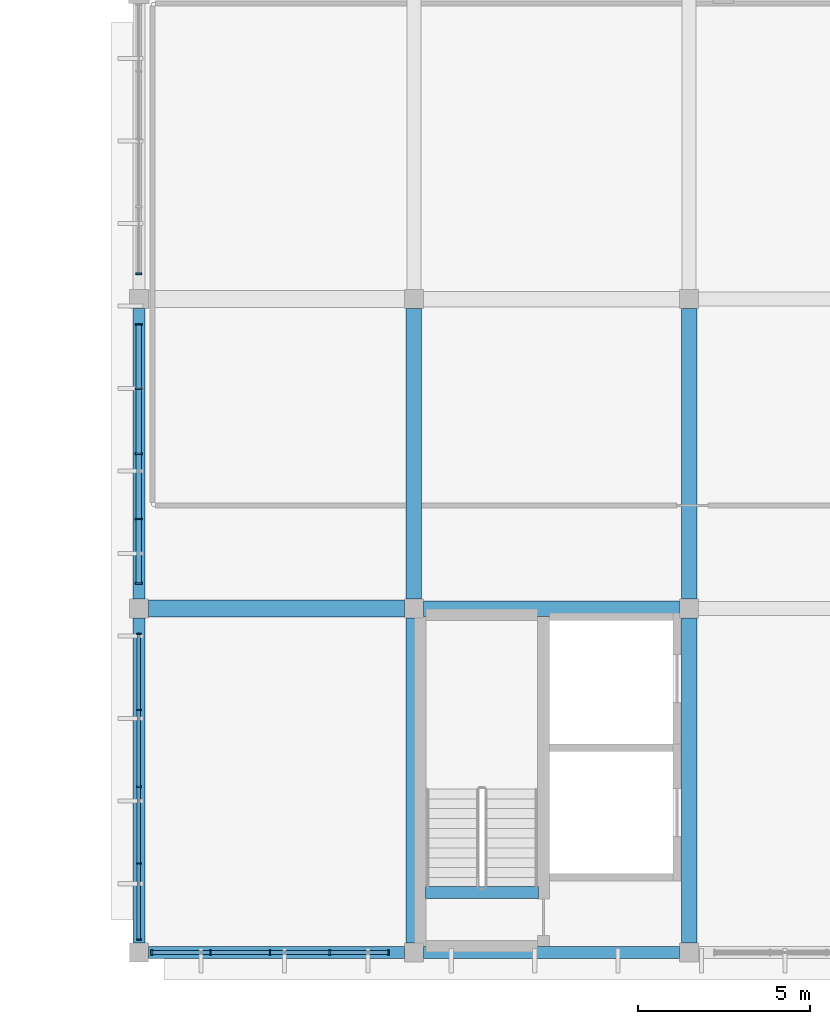
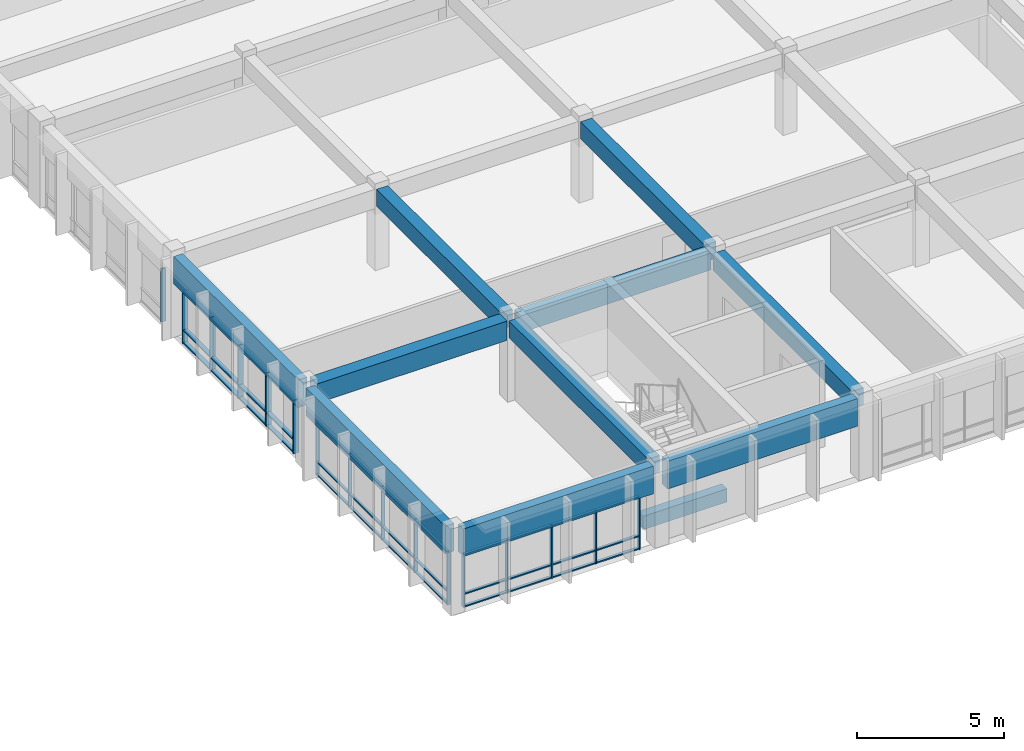
# One storey, part 12 of 77: 52 members, 11 beams, 4 elements without a shape of their own.
"""IFC4 building model written with IfcOpenShell, lengths in metres."""

from ifc_helpers import new_model, si_unit, direction, frame, origin, origin_2d, place, context, subcontext, project, spatial, rectangle, extrude, material, material_profile, profile_set, type_object, element, aggregate, save


model = new_model("IFC4")

# Units and contexts
model_context = context("Model", 3, precision=1e-05, world=origin(), true_north=direction((0.0, 1.0)))
body_context = subcontext(model_context, "Body", "Model", "MODEL_VIEW")
ifc_project = project(units=[si_unit("LENGTHUNIT", "METRE"), si_unit("AREAUNIT", "SQUARE_METRE"), si_unit("VOLUMEUNIT", "CUBIC_METRE"), si_unit("PLANEANGLEUNIT", "RADIAN"), si_unit("MASSUNIT", "GRAM", prefix="KILO")], contexts=[model_context])

# Site, building, storey
site_placement = place(None, origin())
site = spatial("IfcSite", under=ifc_project, at=site_placement, CompositionType="ELEMENT")
building_placement = place(site_placement, origin())
building = spatial("IfcBuilding", under=site, at=building_placement, Name="Larkveld Mobility Hub", CompositionType="ELEMENT")
storey_placement = place(building_placement, frame((0.0, 0.0, 12.0)))
storey = spatial("IfcBuildingStorey", under=building, at=storey_placement, Name="L03", CompositionType="ELEMENT", Elevation=12.0)

# Beams
ifc_material_1 = material(Name="Concrete C40/50", Category="concrete")
ifc_material_profile_1 = material_profile(ifc_material_1, rectangle(XDim=0.35009765625, YDim=0.550048828125, at=origin_2d()), Name="RC BM 350x550")
ifc_profile_set_1 = profile_set([ifc_material_profile_1], Name="Concrete C40/50")
beam_type_1 = type_object("IfcBeamType", Name="BM-RC3555", PredefinedType="BEAM", material=ifc_profile_set_1)
beam_1_placement = place(storey_placement, frame((120.330078125, 1.739990234375, -0.27001953125), z_axis=(1.0, 0.0, 0.0), x_axis=(0.0, 1.0, 0.0)))
element("IfcBeam", 1, at=beam_1_placement, inside=storey, type_object=beam_type_1, Name="Core C4 Stair Header Beam L03", PredefinedType="BEAM", context=body_context, shape_type="SweptSolid", body=[
    extrude(rectangle(XDim=0.35009765625, YDim=0.550048828125, at=origin_2d()), origin(), (0.0, 0.0, 1.0), 3.2900390625),
])
ifc_material_profile_2 = material_profile(ifc_material_1, rectangle(XDim=0.449951171875, YDim=0.699951171875, at=origin_2d()), Name="RC BM 450x700")
ifc_profile_set_2 = profile_set([ifc_material_profile_2], Name="Concrete C40/50")
beam_type_2 = type_object("IfcBeamType", Name="BM-RC4570", PredefinedType="BEAM", material=ifc_profile_set_2)
beam_2_placement = place(storey_placement, frame((120.27490234375, 10.0, 3.010009765625), z_axis=(1.0, 0.0, 0.0), x_axis=(0.0, 1.0, 0.0)))
element("IfcBeam", 2, at=beam_2_placement, inside=storey, type_object=beam_type_2, Name="Primary E-W Girder L03-0700", PredefinedType="BEAM", context=body_context, shape_type="SweptSolid", body=[
    extrude(rectangle(XDim=0.449951171875, YDim=0.699951171875, at=origin_2d()), origin(), (0.0, 0.0, 1.0), 7.4501953125),
])
beam_3_placement = place(storey_placement, frame((120.0, 0.27490234375, 3.010009765625), z_axis=(0.0, 1.0, 0.0), x_axis=(-1.0, 0.0, 0.0)))
element("IfcBeam", 3, at=beam_3_placement, inside=storey, type_object=beam_type_2, Name="Primary N-S Girder L03-0808", PredefinedType="BEAM", context=body_context, shape_type="SweptSolid", body=[
    extrude(rectangle(XDim=0.449951171875, YDim=0.699951171875, at=origin_2d()), origin(), (0.0, 0.0, 1.0), 9.4501953125),
])
beam_4_placement = place(storey_placement, frame((120.0, 10.27490234375, 3.010009765625), z_axis=(0.0, 1.0, 0.0), x_axis=(-1.0, 0.0, 0.0)))
element("IfcBeam", 4, at=beam_4_placement, inside=storey, type_object=beam_type_2, Name="Primary N-S Girder L03-0809", PredefinedType="BEAM", context=body_context, shape_type="SweptSolid", body=[
    extrude(rectangle(XDim=0.449951171875, YDim=0.699951171875, at=origin_2d()), origin(), (0.0, 0.0, 1.0), 8.4501953125),
])
beam_5_placement = place(storey_placement, frame((128.0, 0.27490234375, 3.010009765625), z_axis=(0.0, 1.0, 0.0), x_axis=(-1.0, 0.0, 0.0)))
element("IfcBeam", 5, at=beam_5_placement, inside=storey, type_object=beam_type_2, Name="Primary N-S Girder L03-0811", PredefinedType="BEAM", context=body_context, shape_type="SweptSolid", body=[
    extrude(rectangle(XDim=0.449951171875, YDim=0.699951171875, at=origin_2d()), origin(), (0.0, 0.0, 1.0), 9.4501953125),
])
beam_6_placement = place(storey_placement, frame((128.0, 10.27490234375, 3.010009765625), z_axis=(0.0, 1.0, 0.0), x_axis=(-1.0, 0.0, 0.0)))
element("IfcBeam", 6, at=beam_6_placement, inside=storey, type_object=beam_type_2, Name="Primary N-S Girder L03-0812", PredefinedType="BEAM", context=body_context, shape_type="SweptSolid", body=[
    extrude(rectangle(XDim=0.449951171875, YDim=0.699951171875, at=origin_2d()), origin(), (0.0, 0.0, 1.0), 8.4501953125),
])
ifc_material_profile_3 = material_profile(ifc_material_1, rectangle(XDim=0.5, YDim=0.800048828125, at=origin_2d()), Name="RC BM 500x800")
ifc_profile_set_3 = profile_set([ifc_material_profile_3], Name="Concrete C40/50")
beam_type_3 = type_object("IfcBeamType", Name="BM-RC5080", PredefinedType="BEAM", material=ifc_profile_set_3)
beam_7_placement = place(storey_placement, frame((112.27490234375, 10.0, 2.9599609375), z_axis=(1.0, 0.0, 0.0), x_axis=(0.0, 1.0, 0.0)))
element("IfcBeam", 7, at=beam_7_placement, inside=storey, type_object=beam_type_3, Name="Primary E-W Girder L03-0699", PredefinedType="BEAM", context=body_context, shape_type="SweptSolid", body=[
    extrude(rectangle(XDim=0.5, YDim=0.800048828125, at=origin_2d()), origin(), (0.0, 0.0, 1.0), 7.4501953125),
])
ifc_material_2 = material(Name="Precast concrete C50/60", Category="concrete")
ifc_material_profile_4 = material_profile(ifc_material_2, rectangle(XDim=0.35009765625, YDim=1.14990234375, at=origin_2d()), Name="PC SP 350x1150")
ifc_profile_set_4 = profile_set([ifc_material_profile_4], Name="Precast concrete C50/60")
beam_type_4 = type_object("IfcBeamType", Name="BM-SP35115", PredefinedType="SPANDREL", material=ifc_profile_set_4)
for number, where, z_axis, x_axis, name in (
    (8, (112.27490234375, 0.0, 2.784912109375), (1.0, 0.0, 0.0), (0.0, 1.0, 0.0), "Primary E-W Girder L03-0692"),
    (9, (120.27490234375, 0.0, 2.784912109375), (1.0, 0.0, 0.0), (0.0, 1.0, 0.0), "Primary E-W Girder L03-0693"),
):
    element("IfcBeam", number, at=place(storey_placement, frame(where, z_axis=z_axis, x_axis=x_axis)), inside=storey, type_object=beam_type_4, Name=name, PredefinedType="SPANDREL", context=body_context, shape_type="SweptSolid", body=[
        extrude(rectangle(XDim=0.35009765625, YDim=1.14990234375, at=origin_2d()), origin(), (0.0, 0.0, 1.0), 7.4501953125),
    ])
beam_8_placement = place(storey_placement, frame((112.0, 0.27490234375, 2.784912109375), z_axis=(0.0, 1.0, 0.0), x_axis=(-1.0, 0.0, 0.0)))
element("IfcBeam", 10, at=beam_8_placement, inside=storey, type_object=beam_type_4, Name="Primary N-S Girder L03-0795", PredefinedType="SPANDREL", context=body_context, shape_type="SweptSolid", body=[
    extrude(rectangle(XDim=0.35009765625, YDim=1.14990234375, at=origin_2d()), origin(), (0.0, 0.0, 1.0), 9.4501953125),
])
beam_9_placement = place(storey_placement, frame((112.0, 10.27490234375, 2.784912109375), z_axis=(0.0, 1.0, 0.0), x_axis=(-1.0, 0.0, 0.0)))
element("IfcBeam", 11, at=beam_9_placement, inside=storey, type_object=beam_type_4, Name="Primary N-S Girder L03-0796", PredefinedType="SPANDREL", context=body_context, shape_type="SweptSolid", body=[
    extrude(rectangle(XDim=0.35009765625, YDim=1.14990234375, at=origin_2d()), origin(), (0.0, 0.0, 1.0), 8.4501953125),
])

# Curtain wall, members
ifc_material_3 = material(Name="Anodised aluminium 6063-T6", Category="aluminium")
curtain_wall_type_1 = type_object("IfcCurtainWallType", Name="CW-SYS-05", PredefinedType="NOTDEFINED", material=ifc_material_3)
curtain_wall_1_placement = place(storey_placement, origin())
curtain_wall_1 = element("IfcCurtainWall", 12, at=curtain_wall_1_placement, inside=storey, type_object=curtain_wall_type_1, Name="Service Centre South Curtain Wall L03 CW-113", PredefinedType="NOTDEFINED")
ifc_material_profile_5 = material_profile(ifc_material_3, rectangle(XDim=0.050048828125, YDim=0.14990234375, at=origin_2d()), Name="ALU MULL 50x150")
ifc_profile_set_5 = profile_set([ifc_material_profile_5], Name="Anodised aluminium 6063-T6")
member_type_1 = type_object("IfcMemberType", Name="CW-MUL-01", PredefinedType="MULLION", material=ifc_profile_set_5)
member_1_placement = place(storey_placement, frame((112.375, 0.0, -0.001953125), z_axis=(0.0, 0.0, 1.0), x_axis=(1.0, 0.0, 0.0)))
member_1 = element("IfcMember", 13, at=member_1_placement, type_object=member_type_1, Name="CW05 mullion 1", PredefinedType="MULLION", context=body_context, shape_type="SweptSolid", body=[
    extrude(rectangle(XDim=0.050048828125, YDim=0.14990234375, at=origin_2d()), origin(), (0.0, 0.0, 1.0), 2.2119140625),
])
member_2_placement = place(storey_placement, frame((114.083984375, 0.0, -0.001953125), z_axis=(0.0, 0.0, 1.0), x_axis=(1.0, 0.0, 0.0)))
member_2 = element("IfcMember", 14, at=member_2_placement, type_object=member_type_1, Name="CW05 mullion 2", PredefinedType="MULLION", context=body_context, shape_type="SweptSolid", body=[
    extrude(rectangle(XDim=0.050048828125, YDim=0.14990234375, at=origin_2d()), origin(), (0.0, 0.0, 1.0), 2.2119140625),
])
member_3_placement = place(storey_placement, frame((115.81689453125, 0.0, -0.001953125), z_axis=(0.0, 0.0, 1.0), x_axis=(1.0, 0.0, 0.0)))
member_3 = element("IfcMember", 15, at=member_3_placement, type_object=member_type_1, Name="CW05 mullion 3", PredefinedType="MULLION", context=body_context, shape_type="SweptSolid", body=[
    extrude(rectangle(XDim=0.050048828125, YDim=0.14990234375, at=origin_2d()), origin(), (0.0, 0.0, 1.0), 2.2119140625),
])
member_4_placement = place(storey_placement, frame((117.551025390625, 0.0, -0.001953125), z_axis=(0.0, 0.0, 1.0), x_axis=(1.0, 0.0, 0.0)))
member_4 = element("IfcMember", 16, at=member_4_placement, type_object=member_type_1, Name="CW05 mullion 4", PredefinedType="MULLION", context=body_context, shape_type="SweptSolid", body=[
    extrude(rectangle(XDim=0.050048828125, YDim=0.14990234375, at=origin_2d()), origin(), (0.0, 0.0, 1.0), 2.2119140625),
])
member_5_placement = place(storey_placement, frame((119.260009765625, 0.0, -0.001953125), z_axis=(0.0, 0.0, 1.0), x_axis=(1.0, 0.0, 0.0)))
member_5 = element("IfcMember", 17, at=member_5_placement, type_object=member_type_1, Name="CW05 mullion 5", PredefinedType="MULLION", context=body_context, shape_type="SweptSolid", body=[
    extrude(rectangle(XDim=0.050048828125, YDim=0.14990234375, at=origin_2d()), origin(), (0.0, 0.0, 1.0), 2.2119140625),
])

# Curtain wall, member
curtain_wall_type_2 = type_object("IfcCurtainWallType", Name="CW-SYS-02", PredefinedType="NOTDEFINED", material=ifc_material_3)
curtain_wall_2_placement = place(storey_placement, origin())
curtain_wall_2 = element("IfcCurtainWall", 18, at=curtain_wall_2_placement, inside=storey, type_object=curtain_wall_type_2, Name="Public Passage East Service Facade L03 CW-122", PredefinedType="NOTDEFINED")
ifc_material_profile_6 = material_profile(ifc_material_3, rectangle(XDim=0.050048828125, YDim=0.179931640625, at=origin_2d()), Name="ALU MULL 50x180")
ifc_profile_set_6 = profile_set([ifc_material_profile_6], Name="Anodised aluminium 6063-T6")
member_type_2 = type_object("IfcMemberType", Name="CW-MUL-02", PredefinedType="MULLION", material=ifc_profile_set_6)
member_6_placement = place(storey_placement, frame((112.0, 19.739990234375, -0.001953125), z_axis=(0.0, 0.0, 1.0), x_axis=(0.0, -1.0, 0.0)))
member_6 = element("IfcMember", 19, at=member_6_placement, type_object=member_type_2, Name="CW02 mullion 5", PredefinedType="MULLION", context=body_context, shape_type="SweptSolid", body=[
    extrude(rectangle(XDim=0.050048828125, YDim=0.179931640625, at=origin_2d()), origin(), (0.0, 0.0, 1.0), 2.2119140625),
])
aggregate(curtain_wall_2, [member_6])

# Curtain wall, members
curtain_wall_type_3 = type_object("IfcCurtainWallType", Name="CW-SYS-03", PredefinedType="NOTDEFINED", material=ifc_material_3)
curtain_wall_3_placement = place(storey_placement, origin())
curtain_wall_3 = element("IfcCurtainWall", 20, at=curtain_wall_3_placement, inside=storey, type_object=curtain_wall_type_3, Name="Public Passage East Service Facade L03 CW-123", PredefinedType="NOTDEFINED")
ifc_material_profile_7 = material_profile(ifc_material_3, rectangle(XDim=0.050048828125, YDim=0.2099609375, at=origin_2d()), Name="ALU MULL 50x210")
ifc_profile_set_7 = profile_set([ifc_material_profile_7], Name="Anodised aluminium 6063-T6")
member_type_3 = type_object("IfcMemberType", Name="CW-MUL-03", PredefinedType="MULLION", material=ifc_profile_set_7)
member_7_placement = place(storey_placement, frame((112.0, 18.260009765625, -0.001953125), z_axis=(0.0, 0.0, 1.0), x_axis=(0.0, -1.0, 0.0)))
member_7 = element("IfcMember", 21, at=member_7_placement, type_object=member_type_3, Name="CW03 mullion 1", PredefinedType="MULLION", context=body_context, shape_type="SweptSolid", body=[
    extrude(rectangle(XDim=0.050048828125, YDim=0.2099609375, at=origin_2d()), origin(), (0.0, 0.0, 1.0), 2.2119140625),
])
member_8_placement = place(storey_placement, frame((112.0, 16.39208984375, -0.001953125), z_axis=(0.0, 0.0, 1.0), x_axis=(0.0, -1.0, 0.0)))
member_8 = element("IfcMember", 22, at=member_8_placement, type_object=member_type_3, Name="CW03 mullion 2", PredefinedType="MULLION", context=body_context, shape_type="SweptSolid", body=[
    extrude(rectangle(XDim=0.050048828125, YDim=0.2099609375, at=origin_2d()), origin(), (0.0, 0.0, 1.0), 2.2119140625),
])
member_9_placement = place(storey_placement, frame((112.0, 14.5, -0.001953125), z_axis=(0.0, 0.0, 1.0), x_axis=(0.0, -1.0, 0.0)))
member_9 = element("IfcMember", 23, at=member_9_placement, type_object=member_type_3, Name="CW03 mullion 3", PredefinedType="MULLION", context=body_context, shape_type="SweptSolid", body=[
    extrude(rectangle(XDim=0.050048828125, YDim=0.2099609375, at=origin_2d()), origin(), (0.0, 0.0, 1.0), 2.2119140625),
])
member_10_placement = place(storey_placement, frame((112.0, 12.60693359375, -0.001953125), z_axis=(0.0, 0.0, 1.0), x_axis=(0.0, -1.0, 0.0)))
member_10 = element("IfcMember", 24, at=member_10_placement, type_object=member_type_3, Name="CW03 mullion 4", PredefinedType="MULLION", context=body_context, shape_type="SweptSolid", body=[
    extrude(rectangle(XDim=0.050048828125, YDim=0.2099609375, at=origin_2d()), origin(), (0.0, 0.0, 1.0), 2.2119140625),
])
member_11_placement = place(storey_placement, frame((112.0, 10.739990234375, -0.001953125), z_axis=(0.0, 0.0, 1.0), x_axis=(0.0, -1.0, 0.0)))
member_11 = element("IfcMember", 25, at=member_11_placement, type_object=member_type_3, Name="CW03 mullion 5", PredefinedType="MULLION", context=body_context, shape_type="SweptSolid", body=[
    extrude(rectangle(XDim=0.050048828125, YDim=0.2099609375, at=origin_2d()), origin(), (0.0, 0.0, 1.0), 2.2119140625),
])

curtain_wall_type_4 = type_object("IfcCurtainWallType", Name="CW-SYS-04", PredefinedType="NOTDEFINED", material=ifc_material_3)
curtain_wall_4_placement = place(storey_placement, origin())
curtain_wall_4 = element("IfcCurtainWall", 26, at=curtain_wall_4_placement, inside=storey, type_object=curtain_wall_type_4, Name="Public Passage East Service Facade L03 CW-124", PredefinedType="NOTDEFINED")
ifc_material_profile_8 = material_profile(ifc_material_3, rectangle(XDim=0.050048828125, YDim=0.1298828125, at=origin_2d()), Name="ALU MULL 50x130")
ifc_profile_set_8 = profile_set([ifc_material_profile_8], Name="Anodised aluminium 6063-T6")
member_type_4 = type_object("IfcMemberType", Name="CW-MUL-04", PredefinedType="MULLION", material=ifc_profile_set_8)
member_12_placement = place(storey_placement, frame((112.0, 9.260009765625, -0.001953125), z_axis=(0.0, 0.0, 1.0), x_axis=(0.0, -1.0, 0.0)))
member_12 = element("IfcMember", 27, at=member_12_placement, type_object=member_type_4, Name="CW04 mullion 1", PredefinedType="MULLION", context=body_context, shape_type="SweptSolid", body=[
    extrude(rectangle(XDim=0.050048828125, YDim=0.1298828125, at=origin_2d()), origin(), (0.0, 0.0, 1.0), 2.2119140625),
])
member_13_placement = place(storey_placement, frame((112.0, 7.051025390625, -0.001953125), z_axis=(0.0, 0.0, 1.0), x_axis=(0.0, -1.0, 0.0)))
member_13 = element("IfcMember", 28, at=member_13_placement, type_object=member_type_4, Name="CW04 mullion 2", PredefinedType="MULLION", context=body_context, shape_type="SweptSolid", body=[
    extrude(rectangle(XDim=0.050048828125, YDim=0.1298828125, at=origin_2d()), origin(), (0.0, 0.0, 1.0), 2.2119140625),
])
member_14_placement = place(storey_placement, frame((112.0, 4.81689453125, -0.001953125), z_axis=(0.0, 0.0, 1.0), x_axis=(0.0, -1.0, 0.0)))
member_14 = element("IfcMember", 29, at=member_14_placement, type_object=member_type_4, Name="CW04 mullion 3", PredefinedType="MULLION", context=body_context, shape_type="SweptSolid", body=[
    extrude(rectangle(XDim=0.050048828125, YDim=0.1298828125, at=origin_2d()), origin(), (0.0, 0.0, 1.0), 2.2119140625),
])
member_15_placement = place(storey_placement, frame((112.0, 2.583984375, -0.001953125), z_axis=(0.0, 0.0, 1.0), x_axis=(0.0, -1.0, 0.0)))
member_15 = element("IfcMember", 30, at=member_15_placement, type_object=member_type_4, Name="CW04 mullion 4", PredefinedType="MULLION", context=body_context, shape_type="SweptSolid", body=[
    extrude(rectangle(XDim=0.050048828125, YDim=0.1298828125, at=origin_2d()), origin(), (0.0, 0.0, 1.0), 2.2119140625),
])
member_16_placement = place(storey_placement, frame((112.0, 0.375, -0.001953125), z_axis=(0.0, 0.0, 1.0), x_axis=(0.0, -1.0, 0.0)))
member_16 = element("IfcMember", 31, at=member_16_placement, type_object=member_type_4, Name="CW04 mullion 5", PredefinedType="MULLION", context=body_context, shape_type="SweptSolid", body=[
    extrude(rectangle(XDim=0.050048828125, YDim=0.1298828125, at=origin_2d()), origin(), (0.0, 0.0, 1.0), 2.2119140625),
])

# Member
ifc_material_profile_9 = material_profile(ifc_material_3, rectangle(XDim=0.1201171875, YDim=0.050048828125, at=origin_2d()), Name="ALU TRAN 50x120")
ifc_profile_set_9 = profile_set([ifc_material_profile_9], Name="Anodised aluminium 6063-T6")
member_type_5 = type_object("IfcMemberType", Name="CW-TRN-01", PredefinedType="USERDEFINED", material=ifc_profile_set_9)
member_17_placement = place(storey_placement, frame((112.385009765625, 0.0, 0.030029296875), z_axis=(1.0, 0.0, 0.0), x_axis=(0.0, 1.0, 0.0)))
member_17 = element("IfcMember", 32, at=member_17_placement, type_object=member_type_5, Name="CW05 transom 1.1", ObjectType="TRANSOM", PredefinedType="USERDEFINED", context=body_context, shape_type="SweptSolid", body=[
    extrude(rectangle(XDim=0.1201171875, YDim=0.050048828125, at=origin_2d()), origin(), (0.0, 0.0, 1.0), 1.68408203125),
])

member_18_placement = place(storey_placement, frame((112.385009765625, 0.0, 0.552001953125), z_axis=(1.0, 0.0, 0.0), x_axis=(0.0, 1.0, 0.0)))
member_18 = element("IfcMember", 33, at=member_18_placement, type_object=member_type_5, Name="CW05 transom 1.2", ObjectType="TRANSOM", PredefinedType="USERDEFINED", context=body_context, shape_type="SweptSolid", body=[
    extrude(rectangle(XDim=0.1201171875, YDim=0.050048828125, at=origin_2d()), origin(), (0.0, 0.0, 1.0), 1.68408203125),
])

member_19_placement = place(storey_placement, frame((112.385009765625, 0.0, 2.177978515625), z_axis=(1.0, 0.0, 0.0), x_axis=(0.0, 1.0, 0.0)))
member_19 = element("IfcMember", 34, at=member_19_placement, type_object=member_type_5, Name="CW05 transom 1.3", ObjectType="TRANSOM", PredefinedType="USERDEFINED", context=body_context, shape_type="SweptSolid", body=[
    extrude(rectangle(XDim=0.1201171875, YDim=0.050048828125, at=origin_2d()), origin(), (0.0, 0.0, 1.0), 1.68408203125),
])

member_20_placement = place(storey_placement, frame((114.09912109375, 0.0, 0.030029296875), z_axis=(1.0, 0.0, 0.0), x_axis=(0.0, 1.0, 0.0)))
member_20 = element("IfcMember", 35, at=member_20_placement, type_object=member_type_5, Name="CW05 transom 2.1", ObjectType="TRANSOM", PredefinedType="USERDEFINED", context=body_context, shape_type="SweptSolid", body=[
    extrude(rectangle(XDim=0.1201171875, YDim=0.050048828125, at=origin_2d()), origin(), (0.0, 0.0, 1.0), 1.702880859375),
])

member_21_placement = place(storey_placement, frame((114.09912109375, 0.0, 0.552001953125), z_axis=(1.0, 0.0, 0.0), x_axis=(0.0, 1.0, 0.0)))
member_21 = element("IfcMember", 36, at=member_21_placement, type_object=member_type_5, Name="CW05 transom 2.2", ObjectType="TRANSOM", PredefinedType="USERDEFINED", context=body_context, shape_type="SweptSolid", body=[
    extrude(rectangle(XDim=0.1201171875, YDim=0.050048828125, at=origin_2d()), origin(), (0.0, 0.0, 1.0), 1.702880859375),
])

member_22_placement = place(storey_placement, frame((114.09912109375, 0.0, 2.177978515625), z_axis=(1.0, 0.0, 0.0), x_axis=(0.0, 1.0, 0.0)))
member_22 = element("IfcMember", 37, at=member_22_placement, type_object=member_type_5, Name="CW05 transom 2.3", ObjectType="TRANSOM", PredefinedType="USERDEFINED", context=body_context, shape_type="SweptSolid", body=[
    extrude(rectangle(XDim=0.1201171875, YDim=0.050048828125, at=origin_2d()), origin(), (0.0, 0.0, 1.0), 1.702880859375),
])

member_23_placement = place(storey_placement, frame((115.83203125, 0.0, 0.030029296875), z_axis=(1.0, 0.0, 0.0), x_axis=(0.0, 1.0, 0.0)))
member_23 = element("IfcMember", 38, at=member_23_placement, type_object=member_type_5, Name="CW05 transom 3.1", ObjectType="TRANSOM", PredefinedType="USERDEFINED", context=body_context, shape_type="SweptSolid", body=[
    extrude(rectangle(XDim=0.1201171875, YDim=0.050048828125, at=origin_2d()), origin(), (0.0, 0.0, 1.0), 1.703857421875),
])

member_24_placement = place(storey_placement, frame((115.83203125, 0.0, 0.552001953125), z_axis=(1.0, 0.0, 0.0), x_axis=(0.0, 1.0, 0.0)))
member_24 = element("IfcMember", 39, at=member_24_placement, type_object=member_type_5, Name="CW05 transom 3.2", ObjectType="TRANSOM", PredefinedType="USERDEFINED", context=body_context, shape_type="SweptSolid", body=[
    extrude(rectangle(XDim=0.1201171875, YDim=0.050048828125, at=origin_2d()), origin(), (0.0, 0.0, 1.0), 1.703857421875),
])

member_25_placement = place(storey_placement, frame((115.83203125, 0.0, 2.177978515625), z_axis=(1.0, 0.0, 0.0), x_axis=(0.0, 1.0, 0.0)))
member_25 = element("IfcMember", 40, at=member_25_placement, type_object=member_type_5, Name="CW05 transom 3.3", ObjectType="TRANSOM", PredefinedType="USERDEFINED", context=body_context, shape_type="SweptSolid", body=[
    extrude(rectangle(XDim=0.1201171875, YDim=0.050048828125, at=origin_2d()), origin(), (0.0, 0.0, 1.0), 1.703857421875),
])

member_26_placement = place(storey_placement, frame((117.56591796875, 0.0, 0.030029296875), z_axis=(1.0, 0.0, 0.0), x_axis=(0.0, 1.0, 0.0)))
member_26 = element("IfcMember", 41, at=member_26_placement, type_object=member_type_5, Name="CW05 transom 4.1", ObjectType="TRANSOM", PredefinedType="USERDEFINED", context=body_context, shape_type="SweptSolid", body=[
    extrude(rectangle(XDim=0.1201171875, YDim=0.050048828125, at=origin_2d()), origin(), (0.0, 0.0, 1.0), 1.68408203125),
])

member_27_placement = place(storey_placement, frame((117.56591796875, 0.0, 0.552001953125), z_axis=(1.0, 0.0, 0.0), x_axis=(0.0, 1.0, 0.0)))
member_27 = element("IfcMember", 42, at=member_27_placement, type_object=member_type_5, Name="CW05 transom 4.2", ObjectType="TRANSOM", PredefinedType="USERDEFINED", context=body_context, shape_type="SweptSolid", body=[
    extrude(rectangle(XDim=0.1201171875, YDim=0.050048828125, at=origin_2d()), origin(), (0.0, 0.0, 1.0), 1.68408203125),
])

member_28_placement = place(storey_placement, frame((117.56591796875, 0.0, 2.177978515625), z_axis=(1.0, 0.0, 0.0), x_axis=(0.0, 1.0, 0.0)))
member_28 = element("IfcMember", 43, at=member_28_placement, type_object=member_type_5, Name="CW05 transom 4.3", ObjectType="TRANSOM", PredefinedType="USERDEFINED", context=body_context, shape_type="SweptSolid", body=[
    extrude(rectangle(XDim=0.1201171875, YDim=0.050048828125, at=origin_2d()), origin(), (0.0, 0.0, 1.0), 1.68408203125),
])

aggregate(curtain_wall_1, [member_1, member_2, member_3, member_4, member_5, member_17, member_18, member_19, member_20, member_21, member_22, member_23, member_24, member_25, member_26, member_27, member_28])

ifc_material_profile_10 = material_profile(ifc_material_3, rectangle(XDim=0.169921875, YDim=0.050048828125, at=origin_2d()), Name="ALU TRAN 50x170")
ifc_profile_set_10 = profile_set([ifc_material_profile_10], Name="Anodised aluminium 6063-T6")
member_type_6 = type_object("IfcMemberType", Name="CW-TRN-03", PredefinedType="USERDEFINED", material=ifc_profile_set_10)
member_29_placement = place(storey_placement, frame((112.0, 18.25, 0.030029296875), z_axis=(0.0, -1.0, 0.0), x_axis=(1.0, 0.0, 0.0)))
member_29 = element("IfcMember", 44, at=member_29_placement, type_object=member_type_6, Name="CW03 transom 1.1", ObjectType="TRANSOM", PredefinedType="USERDEFINED", context=body_context, shape_type="SweptSolid", body=[
    extrude(rectangle(XDim=0.169921875, YDim=0.050048828125, at=origin_2d()), origin(), (0.0, 0.0, 1.0), 1.843017578125),
])

member_30_placement = place(storey_placement, frame((112.0, 18.25, 0.552001953125), z_axis=(0.0, -1.0, 0.0), x_axis=(1.0, 0.0, 0.0)))
member_30 = element("IfcMember", 45, at=member_30_placement, type_object=member_type_6, Name="CW03 transom 1.2", ObjectType="TRANSOM", PredefinedType="USERDEFINED", context=body_context, shape_type="SweptSolid", body=[
    extrude(rectangle(XDim=0.169921875, YDim=0.050048828125, at=origin_2d()), origin(), (0.0, 0.0, 1.0), 1.843017578125),
])

member_31_placement = place(storey_placement, frame((112.0, 18.25, 2.177978515625), z_axis=(0.0, -1.0, 0.0), x_axis=(1.0, 0.0, 0.0)))
member_31 = element("IfcMember", 46, at=member_31_placement, type_object=member_type_6, Name="CW03 transom 1.3", ObjectType="TRANSOM", PredefinedType="USERDEFINED", context=body_context, shape_type="SweptSolid", body=[
    extrude(rectangle(XDim=0.169921875, YDim=0.050048828125, at=origin_2d()), origin(), (0.0, 0.0, 1.0), 1.843017578125),
])

member_32_placement = place(storey_placement, frame((112.0, 16.3779296875, 0.030029296875), z_axis=(0.0, -1.0, 0.0), x_axis=(1.0, 0.0, 0.0)))
member_32 = element("IfcMember", 47, at=member_32_placement, type_object=member_type_6, Name="CW03 transom 2.1", ObjectType="TRANSOM", PredefinedType="USERDEFINED", context=body_context, shape_type="SweptSolid", body=[
    extrude(rectangle(XDim=0.169921875, YDim=0.050048828125, at=origin_2d()), origin(), (0.0, 0.0, 1.0), 1.863037109375),
])

member_33_placement = place(storey_placement, frame((112.0, 16.3779296875, 0.552001953125), z_axis=(0.0, -1.0, 0.0), x_axis=(1.0, 0.0, 0.0)))
member_33 = element("IfcMember", 48, at=member_33_placement, type_object=member_type_6, Name="CW03 transom 2.2", ObjectType="TRANSOM", PredefinedType="USERDEFINED", context=body_context, shape_type="SweptSolid", body=[
    extrude(rectangle(XDim=0.169921875, YDim=0.050048828125, at=origin_2d()), origin(), (0.0, 0.0, 1.0), 1.863037109375),
])

member_34_placement = place(storey_placement, frame((112.0, 16.3779296875, 2.177978515625), z_axis=(0.0, -1.0, 0.0), x_axis=(1.0, 0.0, 0.0)))
member_34 = element("IfcMember", 49, at=member_34_placement, type_object=member_type_6, Name="CW03 transom 2.3", ObjectType="TRANSOM", PredefinedType="USERDEFINED", context=body_context, shape_type="SweptSolid", body=[
    extrude(rectangle(XDim=0.169921875, YDim=0.050048828125, at=origin_2d()), origin(), (0.0, 0.0, 1.0), 1.863037109375),
])

member_35_placement = place(storey_placement, frame((112.0, 14.485107421875, 0.030029296875), z_axis=(0.0, -1.0, 0.0), x_axis=(1.0, 0.0, 0.0)))
member_35 = element("IfcMember", 50, at=member_35_placement, type_object=member_type_6, Name="CW03 transom 3.1", ObjectType="TRANSOM", PredefinedType="USERDEFINED", context=body_context, shape_type="SweptSolid", body=[
    extrude(rectangle(XDim=0.169921875, YDim=0.050048828125, at=origin_2d()), origin(), (0.0, 0.0, 1.0), 1.863037109375),
])

member_36_placement = place(storey_placement, frame((112.0, 14.485107421875, 0.552001953125), z_axis=(0.0, -1.0, 0.0), x_axis=(1.0, 0.0, 0.0)))
member_36 = element("IfcMember", 51, at=member_36_placement, type_object=member_type_6, Name="CW03 transom 3.2", ObjectType="TRANSOM", PredefinedType="USERDEFINED", context=body_context, shape_type="SweptSolid", body=[
    extrude(rectangle(XDim=0.169921875, YDim=0.050048828125, at=origin_2d()), origin(), (0.0, 0.0, 1.0), 1.863037109375),
])

member_37_placement = place(storey_placement, frame((112.0, 14.485107421875, 2.177978515625), z_axis=(0.0, -1.0, 0.0), x_axis=(1.0, 0.0, 0.0)))
member_37 = element("IfcMember", 52, at=member_37_placement, type_object=member_type_6, Name="CW03 transom 3.3", ObjectType="TRANSOM", PredefinedType="USERDEFINED", context=body_context, shape_type="SweptSolid", body=[
    extrude(rectangle(XDim=0.169921875, YDim=0.050048828125, at=origin_2d()), origin(), (0.0, 0.0, 1.0), 1.863037109375),
])

member_38_placement = place(storey_placement, frame((112.0, 12.592041015625, 0.030029296875), z_axis=(0.0, -1.0, 0.0), x_axis=(1.0, 0.0, 0.0)))
member_38 = element("IfcMember", 53, at=member_38_placement, type_object=member_type_6, Name="CW03 transom 4.1", ObjectType="TRANSOM", PredefinedType="USERDEFINED", context=body_context, shape_type="SweptSolid", body=[
    extrude(rectangle(XDim=0.169921875, YDim=0.050048828125, at=origin_2d()), origin(), (0.0, 0.0, 1.0), 1.842041015625),
])

member_39_placement = place(storey_placement, frame((112.0, 12.592041015625, 0.552001953125), z_axis=(0.0, -1.0, 0.0), x_axis=(1.0, 0.0, 0.0)))
member_39 = element("IfcMember", 54, at=member_39_placement, type_object=member_type_6, Name="CW03 transom 4.2", ObjectType="TRANSOM", PredefinedType="USERDEFINED", context=body_context, shape_type="SweptSolid", body=[
    extrude(rectangle(XDim=0.169921875, YDim=0.050048828125, at=origin_2d()), origin(), (0.0, 0.0, 1.0), 1.842041015625),
])

member_40_placement = place(storey_placement, frame((112.0, 12.592041015625, 2.177978515625), z_axis=(0.0, -1.0, 0.0), x_axis=(1.0, 0.0, 0.0)))
member_40 = element("IfcMember", 55, at=member_40_placement, type_object=member_type_6, Name="CW03 transom 4.3", ObjectType="TRANSOM", PredefinedType="USERDEFINED", context=body_context, shape_type="SweptSolid", body=[
    extrude(rectangle(XDim=0.169921875, YDim=0.050048828125, at=origin_2d()), origin(), (0.0, 0.0, 1.0), 1.842041015625),
])

aggregate(curtain_wall_3, [member_7, member_8, member_9, member_10, member_11, member_29, member_30, member_31, member_32, member_33, member_34, member_35, member_36, member_37, member_38, member_39, member_40])

ifc_material_profile_11 = material_profile(ifc_material_3, rectangle(XDim=0.10009765625, YDim=0.050048828125, at=origin_2d()), Name="ALU TRAN 50x100")
ifc_profile_set_11 = profile_set([ifc_material_profile_11], Name="Anodised aluminium 6063-T6")
member_type_7 = type_object("IfcMemberType", Name="CW-TRN-04", PredefinedType="USERDEFINED", material=ifc_profile_set_11)
member_41_placement = place(storey_placement, frame((112.0, 9.25, 0.030029296875), z_axis=(0.0, -1.0, 0.0), x_axis=(1.0, 0.0, 0.0)))
member_41 = element("IfcMember", 56, at=member_41_placement, type_object=member_type_7, Name="CW04 transom 1.1", ObjectType="TRANSOM", PredefinedType="USERDEFINED", context=body_context, shape_type="SweptSolid", body=[
    extrude(rectangle(XDim=0.10009765625, YDim=0.050048828125, at=origin_2d()), origin(), (0.0, 0.0, 1.0), 2.18408203125),
])

member_42_placement = place(storey_placement, frame((112.0, 9.25, 0.552001953125), z_axis=(0.0, -1.0, 0.0), x_axis=(1.0, 0.0, 0.0)))
member_42 = element("IfcMember", 57, at=member_42_placement, type_object=member_type_7, Name="CW04 transom 1.2", ObjectType="TRANSOM", PredefinedType="USERDEFINED", context=body_context, shape_type="SweptSolid", body=[
    extrude(rectangle(XDim=0.10009765625, YDim=0.050048828125, at=origin_2d()), origin(), (0.0, 0.0, 1.0), 2.18408203125),
])

member_43_placement = place(storey_placement, frame((112.0, 9.25, 2.177978515625), z_axis=(0.0, -1.0, 0.0), x_axis=(1.0, 0.0, 0.0)))
member_43 = element("IfcMember", 58, at=member_43_placement, type_object=member_type_7, Name="CW04 transom 1.3", ObjectType="TRANSOM", PredefinedType="USERDEFINED", context=body_context, shape_type="SweptSolid", body=[
    extrude(rectangle(XDim=0.10009765625, YDim=0.050048828125, at=origin_2d()), origin(), (0.0, 0.0, 1.0), 2.18408203125),
])

member_44_placement = place(storey_placement, frame((112.0, 7.035888671875, 0.030029296875), z_axis=(0.0, -1.0, 0.0), x_axis=(1.0, 0.0, 0.0)))
member_44 = element("IfcMember", 59, at=member_44_placement, type_object=member_type_7, Name="CW04 transom 2.1", ObjectType="TRANSOM", PredefinedType="USERDEFINED", context=body_context, shape_type="SweptSolid", body=[
    extrude(rectangle(XDim=0.10009765625, YDim=0.050048828125, at=origin_2d()), origin(), (0.0, 0.0, 1.0), 2.203857421875),
])

member_45_placement = place(storey_placement, frame((112.0, 7.035888671875, 0.552001953125), z_axis=(0.0, -1.0, 0.0), x_axis=(1.0, 0.0, 0.0)))
member_45 = element("IfcMember", 60, at=member_45_placement, type_object=member_type_7, Name="CW04 transom 2.2", ObjectType="TRANSOM", PredefinedType="USERDEFINED", context=body_context, shape_type="SweptSolid", body=[
    extrude(rectangle(XDim=0.10009765625, YDim=0.050048828125, at=origin_2d()), origin(), (0.0, 0.0, 1.0), 2.203857421875),
])

member_46_placement = place(storey_placement, frame((112.0, 7.035888671875, 2.177978515625), z_axis=(0.0, -1.0, 0.0), x_axis=(1.0, 0.0, 0.0)))
member_46 = element("IfcMember", 61, at=member_46_placement, type_object=member_type_7, Name="CW04 transom 2.3", ObjectType="TRANSOM", PredefinedType="USERDEFINED", context=body_context, shape_type="SweptSolid", body=[
    extrude(rectangle(XDim=0.10009765625, YDim=0.050048828125, at=origin_2d()), origin(), (0.0, 0.0, 1.0), 2.203857421875),
])

member_47_placement = place(storey_placement, frame((112.0, 4.802978515625, 0.030029296875), z_axis=(0.0, -1.0, 0.0), x_axis=(1.0, 0.0, 0.0)))
member_47 = element("IfcMember", 62, at=member_47_placement, type_object=member_type_7, Name="CW04 transom 3.1", ObjectType="TRANSOM", PredefinedType="USERDEFINED", context=body_context, shape_type="SweptSolid", body=[
    extrude(rectangle(XDim=0.10009765625, YDim=0.050048828125, at=origin_2d()), origin(), (0.0, 0.0, 1.0), 2.203857421875),
])

member_48_placement = place(storey_placement, frame((112.0, 4.802978515625, 0.552001953125), z_axis=(0.0, -1.0, 0.0), x_axis=(1.0, 0.0, 0.0)))
member_48 = element("IfcMember", 63, at=member_48_placement, type_object=member_type_7, Name="CW04 transom 3.2", ObjectType="TRANSOM", PredefinedType="USERDEFINED", context=body_context, shape_type="SweptSolid", body=[
    extrude(rectangle(XDim=0.10009765625, YDim=0.050048828125, at=origin_2d()), origin(), (0.0, 0.0, 1.0), 2.203857421875),
])

member_49_placement = place(storey_placement, frame((112.0, 4.802978515625, 2.177978515625), z_axis=(0.0, -1.0, 0.0), x_axis=(1.0, 0.0, 0.0)))
member_49 = element("IfcMember", 64, at=member_49_placement, type_object=member_type_7, Name="CW04 transom 3.3", ObjectType="TRANSOM", PredefinedType="USERDEFINED", context=body_context, shape_type="SweptSolid", body=[
    extrude(rectangle(XDim=0.10009765625, YDim=0.050048828125, at=origin_2d()), origin(), (0.0, 0.0, 1.0), 2.203857421875),
])

member_50_placement = place(storey_placement, frame((112.0, 2.569091796875, 0.030029296875), z_axis=(0.0, -1.0, 0.0), x_axis=(1.0, 0.0, 0.0)))
member_50 = element("IfcMember", 65, at=member_50_placement, type_object=member_type_7, Name="CW04 transom 4.1", ObjectType="TRANSOM", PredefinedType="USERDEFINED", context=body_context, shape_type="SweptSolid", body=[
    extrude(rectangle(XDim=0.10009765625, YDim=0.050048828125, at=origin_2d()), origin(), (0.0, 0.0, 1.0), 2.18408203125),
])

member_51_placement = place(storey_placement, frame((112.0, 2.569091796875, 0.552001953125), z_axis=(0.0, -1.0, 0.0), x_axis=(1.0, 0.0, 0.0)))
member_51 = element("IfcMember", 66, at=member_51_placement, type_object=member_type_7, Name="CW04 transom 4.2", ObjectType="TRANSOM", PredefinedType="USERDEFINED", context=body_context, shape_type="SweptSolid", body=[
    extrude(rectangle(XDim=0.10009765625, YDim=0.050048828125, at=origin_2d()), origin(), (0.0, 0.0, 1.0), 2.18408203125),
])

member_52_placement = place(storey_placement, frame((112.0, 2.569091796875, 2.177978515625), z_axis=(0.0, -1.0, 0.0), x_axis=(1.0, 0.0, 0.0)))
member_52 = element("IfcMember", 67, at=member_52_placement, type_object=member_type_7, Name="CW04 transom 4.3", ObjectType="TRANSOM", PredefinedType="USERDEFINED", context=body_context, shape_type="SweptSolid", body=[
    extrude(rectangle(XDim=0.10009765625, YDim=0.050048828125, at=origin_2d()), origin(), (0.0, 0.0, 1.0), 2.18408203125),
])

aggregate(curtain_wall_4, [member_12, member_13, member_14, member_15, member_16, member_41, member_42, member_43, member_44, member_45, member_46, member_47, member_48, member_49, member_50, member_51, member_52])

save(model, "model.ifc")
